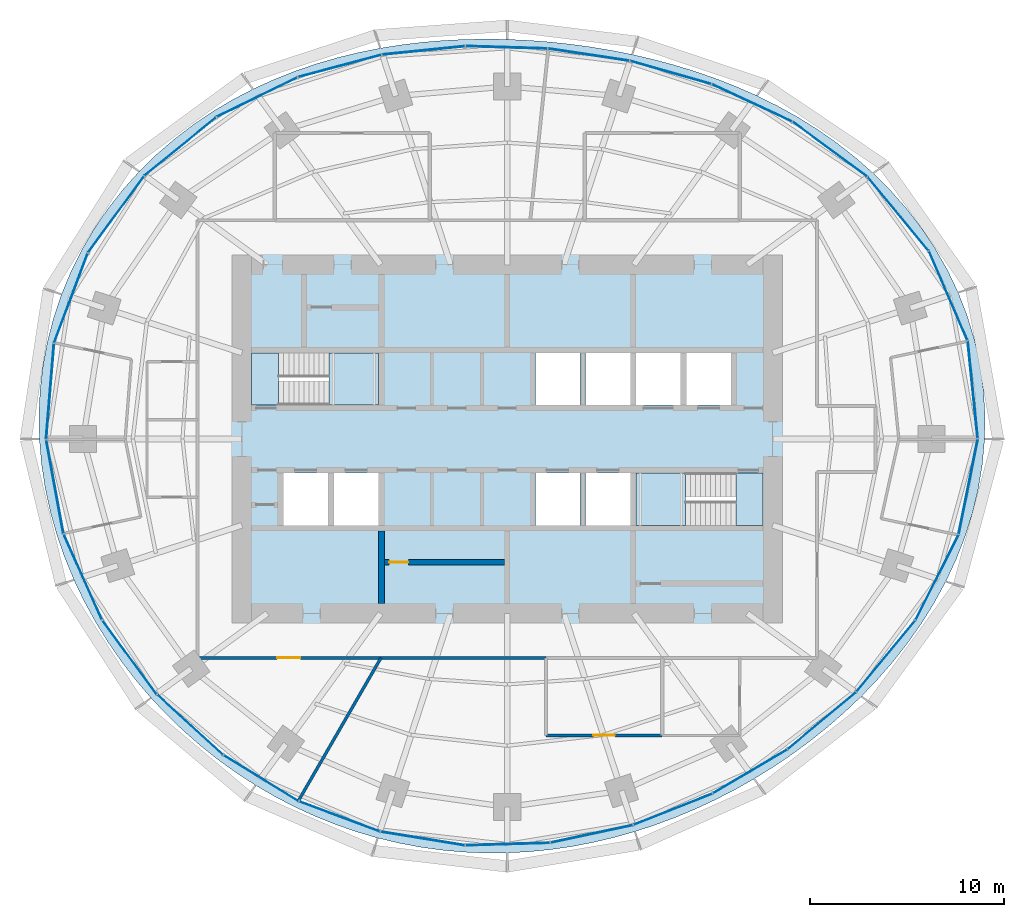
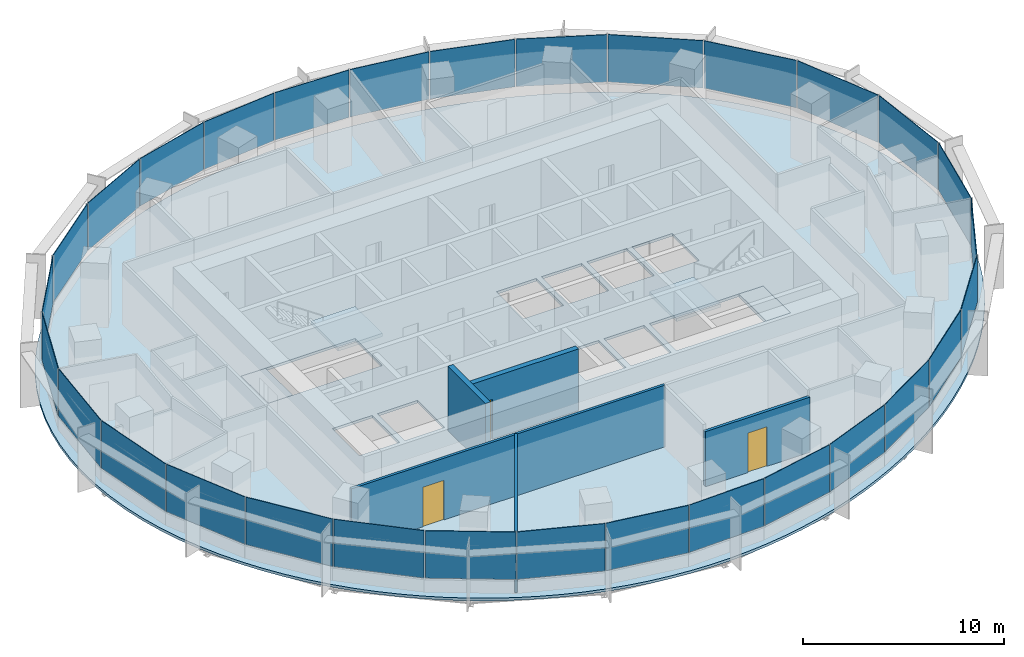
# One storey, part 9 of 14: 30 plates, 5 slabs, 5 walls, 3 doors, 3 openings, 8 elements without a shape of their own.
"""IFC4 building model written with IfcOpenShell, lengths in metres."""

from ifc_helpers import new_model, si_unit, direction, frame, frame_2d, origin, origin_2d, place, context, subcontext, project, spatial, polyline, rectangle, outline, extrude, material, layer, layer_set, type_object, element, fill, aggregate, save


model = new_model("IFC4")

# Units and contexts
model_context = context("Model", 3, precision=1e-05, world=origin(), true_north=direction((0.0, 1.0)))
body_context = subcontext(model_context, "Body", "Model", "MODEL_VIEW")
ifc_project = project(units=[si_unit("LENGTHUNIT", "METRE"), si_unit("AREAUNIT", "SQUARE_METRE"), si_unit("VOLUMEUNIT", "CUBIC_METRE"), si_unit("PLANEANGLEUNIT", "RADIAN"), si_unit("MASSUNIT", "GRAM", prefix="KILO")], contexts=[model_context])

# Site, building, storey
site_placement = place(None, origin())
site = spatial("IfcSite", under=ifc_project, at=site_placement, CompositionType="ELEMENT")
building_placement = place(site_placement, origin())
building = spatial("IfcBuilding", under=site, at=building_placement, Name="Marramba Exchange Tower", CompositionType="ELEMENT")
storey_placement = place(building_placement, frame((0.0, 0.0, 179.89990234375)))
storey = spatial("IfcBuildingStorey", under=building, at=storey_placement, Name="L43", CompositionType="ELEMENT", Elevation=179.89990234375)

# Slab
ifc_material_1 = material(Name="Concrete N40", Category="concrete")
ifc_layer_1 = layer(ifc_material_1, 0.159912109375)
ifc_layer_set_1 = layer_set([ifc_layer_1], Name="Composite floor slab 160")
slab_type_1 = type_object("IfcSlabType", Name="Composite floor slab 160", PredefinedType="FLOOR", material=ifc_layer_set_1)
slab_1_placement = place(storey_placement, frame((0.0, 0.0, -0.159912109375)))
element("IfcSlab", 1, at=slab_1_placement, inside=storey, type_object=slab_type_1, Name="Floor slab L43", PredefinedType="FLOOR", context=body_context, shape_type="SweptSolid", body=[
    extrude(outline(polyline([(24.64404296875, 0.0), (24.661376953125, 1.29248046875), (24.580078125, 2.58349609375), (24.399658203125, 3.864501953125), (24.12109375, 5.127197265625), (23.7470703125, 6.363037109375), (23.281494140625, 7.564697265625), (22.72900390625, 8.724853515625), (22.095947265625, 9.837646484375), (21.388427734375, 10.89794921875), (20.614013671875, 11.901611328125), (19.780029296875, 12.845458984375), (18.894287109375, 13.7275390625), (17.964111328125, 14.547119140625), (16.996826171875, 15.303955078125), (15.9990234375, 15.9990234375), (14.977294921875, 16.634033203125), (13.936767578125, 17.21044921875), (12.882568359375, 17.7314453125), (11.819091796875, 18.19970703125), (10.749267578125, 18.6181640625), (9.67578125, 18.989990234375), (8.60107421875, 19.318115234375), (7.52587890625, 19.60546875), (6.451171875, 19.8544921875), (5.377197265625, 20.067626953125), (4.303466796875, 20.246337890625), (3.229736328125, 20.39208984375), (2.1552734375, 20.50537109375), (1.078857421875, 20.5869140625), (0.0, 20.63623046875), (-1.082275390625, 20.652587890625), (-2.168701171875, 20.634765625), (-3.259765625, 20.580810546875), (-4.35498046875, 20.4892578125), (-5.45458984375, 20.35693359375), (-6.557373046875, 20.181884765625), (-7.662353515625, 19.9609375), (-8.76708984375, 19.691162109375), (-9.869384765625, 19.369873046875), (-10.96630859375, 18.994384765625), (-12.05419921875, 18.561767578125), (-13.128662109375, 18.070068359375), (-14.185546875, 17.517578125), (-15.218994140625, 16.902587890625), (-16.22412109375, 16.22412109375), (-17.195068359375, 15.482421875), (-18.12548828125, 14.677734375), (-19.009521484375, 13.811279296875), (-19.841064453125, 12.885009765625), (-20.614013671875, 11.901611328125), (-21.32275390625, 10.864501953125), (-21.9619140625, 9.778076171875), (-22.52685546875, 8.647216796875), (-23.01318359375, 7.477294921875), (-23.417724609375, 6.274658203125), (-23.73779296875, 5.045654296875), (-23.971923828125, 3.796875), (-24.119384765625, 2.53515625), (-24.180419921875, 1.267333984375), (-24.156005859375, 0.0), (-24.04833984375, -1.26025390625), (-23.860107421875, -2.5078125), (-23.594482421875, -3.737060546875), (-23.25537109375, -4.943115234375), (-22.846923828125, -6.121826171875), (-22.373291015625, -7.26953125), (-21.8388671875, -8.38330078125), (-21.247802734375, -9.460205078125), (-20.604248046875, -10.49853515625), (-19.912109375, -11.496337890625), (-19.174560546875, -12.4521484375), (-18.395263671875, -13.364990234375), (-17.5771484375, -14.233642578125), (-16.72265625, -15.05712890625), (-15.834228515625, -15.834228515625), (-14.914794921875, -16.564453125), (-13.966064453125, -17.24658203125), (-12.990234375, -17.879638671875), (-11.98974609375, -18.46240234375), (-10.96630859375, -18.994384765625), (-9.922607421875, -19.47412109375), (-8.860595703125, -19.901123046875), (-7.78271484375, -20.2744140625), (-6.691162109375, -20.593505859375), (-5.5888671875, -20.858154296875), (-4.478271484375, -21.068115234375), (-3.361328125, -21.22314453125), (-2.2412109375, -21.32373046875), (-1.119873046875, -21.370361328125), (0.0, -21.36376953125), (1.116455078125, -21.3046875), (2.2275390625, -21.194580078125), (3.33154296875, -21.0341796875), (4.426513671875, -20.8251953125), (5.511474609375, -20.56884765625), (6.5849609375, -20.266357421875), (7.646240234375, -19.919189453125), (8.694580078125, -19.528076171875), (9.72900390625, -19.09423828125), (10.749267578125, -18.6181640625), (11.75439453125, -18.100341796875), (12.744140625, -17.541015625), (13.71728515625, -16.939697265625), (14.6728515625, -16.2958984375), (15.609130859375, -15.609130859375), (16.5244140625, -14.878662109375), (17.415771484375, -14.10302734375), (18.280029296875, -13.28125), (19.11376953125, -12.41259765625), (19.912109375, -11.496337890625), (20.669921875, -10.531982421875), (21.3818359375, -9.519775390625), (22.041259765625, -8.4609375), (22.641845703125, -7.356689453125), (23.176513671875, -6.210205078125), (23.638671875, -5.024658203125), (24.022216796875, -3.8046875), (24.32080078125, -2.55615234375), (24.529541015625, -1.28564453125), (24.64404296875, 0.0)]), holes=[polyline([(1.449951171875, 1.75), (3.75, 1.75), (3.75, 4.449951171875), (1.449951171875, 4.449951171875), (1.449951171875, 1.75)]), polyline([(4.050048828125, 1.75), (6.35009765625, 1.75), (6.35009765625, 4.449951171875), (4.050048828125, 4.449951171875), (4.050048828125, 1.75)]), polyline([(1.449951171875, -4.449951171875), (3.75, -4.449951171875), (3.75, -1.75), (1.449951171875, -1.75), (1.449951171875, -4.449951171875)]), polyline([(4.050048828125, -4.449951171875), (6.35009765625, -4.449951171875), (6.35009765625, -1.75), (4.050048828125, -1.75), (4.050048828125, -4.449951171875)]), polyline([(6.64990234375, 1.75), (8.949951171875, 1.75), (8.949951171875, 4.449951171875), (6.64990234375, 4.449951171875), (6.64990234375, 1.75)]), polyline([(-8.949951171875, -4.449951171875), (-6.64990234375, -4.449951171875), (-6.64990234375, -1.75), (-8.949951171875, -1.75), (-8.949951171875, -4.449951171875)]), polyline([(-11.550048828125, -4.449951171875), (-9.25, -4.449951171875), (-9.25, -1.75), (-11.550048828125, -1.75), (-11.550048828125, -4.449951171875)]), polyline([(9.25, 1.75), (11.550048828125, 1.75), (11.550048828125, 4.449951171875), (9.25, 4.449951171875), (9.25, 1.75)]), polyline([(-13.199951171875, 1.75), (-6.64990234375, 1.75), (-6.64990234375, 4.449951171875), (-13.199951171875, 4.449951171875), (-13.199951171875, 1.75)]), polyline([(6.64990234375, -4.449951171875), (13.199951171875, -4.449951171875), (13.199951171875, -1.75), (6.64990234375, -1.75), (6.64990234375, -4.449951171875)])]), origin(), (0.0, 0.0, 1.0), 0.159912109375),
])

# Curtain wall, plates
ifc_material_2 = material(Name="Aluminium framing, bronze anodised", Category="aluminium")
curtain_wall_type = type_object("IfcCurtainWallType", Name="Office ribbon curtain wall", PredefinedType="USERDEFINED", material=ifc_material_2)
curtain_wall_1_placement = place(storey_placement, origin())
curtain_wall_1 = element("IfcCurtainWall", 2, at=curtain_wall_1_placement, inside=storey, type_object=curtain_wall_type, Name="Curtain wall CW4 L43 F01-F05", ObjectType="RIBBON CURTAIN WALL", PredefinedType="USERDEFINED")
ifc_material_3 = material(Name="Laminated double glazed unit 10.76 + 16 + 10.76, bronze tinted", Category="glass")
ifc_layer_2 = layer(ifc_material_3, 0.03759765625)
ifc_layer_set_2 = layer_set([ifc_layer_2], Name="Office ribbon curtain wall panel")
plate_type = type_object("IfcPlateType", Name="Office ribbon curtain wall panel", PredefinedType="CURTAIN_PANEL", material=ifc_layer_set_2)
plate_1_placement = place(storey_placement, frame((24.033203125, 2.556884765625, 0.860107421875), z_axis=(0.0, 0.0, 1.0), x_axis=(-0.101422472607, 0.994843446001, 0.0)))
plate_1 = element("IfcPlate", 3, at=plate_1_placement, type_object=plate_type, Name="CW4 vision panel", PredefinedType="CURTAIN_PANEL", context=body_context, shape_type="SweptSolid", body=[
    extrude(rectangle(XDim=5.0205078125, YDim=0.03759765625, at=origin_2d()), origin(), (0.0, 0.0, 1.0), 2.8798828125),
])
plate_2_placement = place(storey_placement, frame((22.765625, 7.40234375, 0.860107421875), z_axis=(0.0, 0.0, 1.0), x_axis=(-0.396193346946, 0.918167104527, 0.0)))
plate_2 = element("IfcPlate", 4, at=plate_2_placement, type_object=plate_type, Name="CW4 vision panel", PredefinedType="CURTAIN_PANEL", context=body_context, shape_type="SweptSolid", body=[
    extrude(rectangle(XDim=4.99462890625, YDim=0.03759765625, at=origin_2d()), origin(), (0.0, 0.0, 1.0), 2.8798828125),
])
plate_3_placement = place(storey_placement, frame((20.174560546875, 11.631591796875, 0.860107421875), z_axis=(0.0, 0.0, 1.0), x_axis=(-0.637350227411, 0.770574258342, 0.0)))
plate_3 = element("IfcPlate", 5, at=plate_3_placement, type_object=plate_type, Name="CW4 vision panel", PredefinedType="CURTAIN_PANEL", context=body_context, shape_type="SweptSolid", body=[
    extrude(rectangle(XDim=4.90576171875, YDim=0.03759765625, at=origin_2d()), origin(), (0.0, 0.0, 1.0), 2.8798828125),
])
plate_4_placement = place(storey_placement, frame((16.653076171875, 14.965576171875, 0.860107421875), z_axis=(0.0, 0.0, 1.0), x_axis=(-0.804877259395, 0.593441317494, 0.0)))
plate_4 = element("IfcPlate", 6, at=plate_4_placement, type_object=plate_type, Name="CW4 vision panel", PredefinedType="CURTAIN_PANEL", context=body_context, shape_type="SweptSolid", body=[
    extrude(rectangle(XDim=4.745849609375, YDim=0.03759765625, at=origin_2d()), origin(), (0.0, 0.0, 1.0), 2.8798828125),
])
plate_5_placement = place(storey_placement, frame((12.63134765625, 17.357177734375, 0.860107421875), z_axis=(0.0, 0.0, 1.0), x_axis=(-0.906533907301, 0.422133006189, 0.0)))
plate_5 = element("IfcPlate", 7, at=plate_5_placement, type_object=plate_type, Name="CW4 vision panel", PredefinedType="CURTAIN_PANEL", context=body_context, shape_type="SweptSolid", body=[
    extrude(rectangle(XDim=4.53857421875, YDim=0.03759765625, at=origin_2d()), origin(), (0.0, 0.0, 1.0), 2.8798828125),
])
aggregate(curtain_wall_1, [plate_1, plate_2, plate_3, plate_4, plate_5])

curtain_wall_2_placement = place(storey_placement, origin())
curtain_wall_2 = element("IfcCurtainWall", 8, at=curtain_wall_2_placement, inside=storey, type_object=curtain_wall_type, Name="Curtain wall CW4 L43 F06-F10", ObjectType="RIBBON CURTAIN WALL", PredefinedType="USERDEFINED")
plate_6_placement = place(storey_placement, frame((8.4296875, 18.926513671875, 0.860107421875), z_axis=(0.0, 0.0, 1.0), x_axis=(-0.961658954195, 0.274248164656, 0.0)))
plate_6 = element("IfcPlate", 9, at=plate_6_placement, type_object=plate_type, Name="CW4 vision panel", PredefinedType="CURTAIN_PANEL", context=body_context, shape_type="SweptSolid", body=[
    extrude(rectangle(XDim=4.33984375, YDim=0.03759765625, at=origin_2d()), origin(), (0.0, 0.0, 1.0), 2.8798828125),
])
plate_7_placement = place(storey_placement, frame((4.201171875, 19.843994140625, 0.860107421875), z_axis=(0.0, 0.0, 1.0), x_axis=(-0.988868065698, 0.148794988635, 0.0)))
plate_7 = element("IfcPlate", 10, at=plate_7_placement, type_object=plate_type, Name="CW4 vision panel", PredefinedType="CURTAIN_PANEL", context=body_context, shape_type="SweptSolid", body=[
    extrude(rectangle(XDim=4.2119140625, YDim=0.03759765625, at=origin_2d()), origin(), (0.0, 0.0, 1.0), 2.8798828125),
])
plate_8_placement = place(storey_placement, frame((-0.036865234375, 20.222900390625, 0.860107421875), z_axis=(0.0, 0.0, 1.0), x_axis=(-0.999538000143, 0.03039385249, 0.0)))
plate_8 = element("IfcPlate", 11, at=plate_8_placement, type_object=plate_type, Name="CW4 vision panel", PredefinedType="CURTAIN_PANEL", context=body_context, shape_type="SweptSolid", body=[
    extrude(rectangle(XDim=4.19287109375, YDim=0.03759765625, at=origin_2d()), origin(), (0.0, 0.0, 1.0), 2.8798828125),
])
plate_9_placement = place(storey_placement, frame((-4.320556640625, 20.064697265625, 0.860107421875), z_axis=(0.0, 0.0, 1.0), x_axis=(-0.994900357369, -0.100862673507, 0.0)))
plate_9 = element("IfcPlate", 12, at=plate_9_placement, type_object=plate_type, Name="CW4 vision panel", PredefinedType="CURTAIN_PANEL", context=body_context, shape_type="SweptSolid", body=[
    extrude(rectangle(XDim=4.279296875, YDim=0.03759765625, at=origin_2d()), origin(), (0.0, 0.0, 1.0), 2.8798828125),
])
plate_10_placement = place(storey_placement, frame((-8.6494140625, 19.262451171875, 0.860107421875), z_axis=(0.0, 0.0, 1.0), x_axis=(-0.966240653155, -0.257641223778, 0.0)))
plate_10 = element("IfcPlate", 13, at=plate_10_placement, type_object=plate_type, Name="CW4 vision panel", PredefinedType="CURTAIN_PANEL", context=body_context, shape_type="SweptSolid", body=[
    extrude(rectangle(XDim=4.433837890625, YDim=0.03759765625, at=origin_2d()), origin(), (0.0, 0.0, 1.0), 2.8798828125),
])
aggregate(curtain_wall_2, [plate_6, plate_7, plate_8, plate_9, plate_10])

curtain_wall_3_placement = place(storey_placement, origin())
curtain_wall_3 = element("IfcCurtainWall", 14, at=curtain_wall_3_placement, inside=storey, type_object=curtain_wall_type, Name="Curtain wall CW4 L43 F11-F15", ObjectType="RIBBON CURTAIN WALL", PredefinedType="USERDEFINED")
plate_11_placement = place(storey_placement, frame((-12.9150390625, 17.653564453125, 0.860107421875), z_axis=(0.0, 0.0, 1.0), x_axis=(-0.898500518805, -0.438972456661, 0.0)))
plate_11 = element("IfcPlate", 15, at=plate_11_placement, type_object=plate_type, Name="CW4 vision panel", PredefinedType="CURTAIN_PANEL", context=body_context, shape_type="SweptSolid", body=[
    extrude(rectangle(XDim=4.607177734375, YDim=0.03759765625, at=origin_2d()), origin(), (0.0, 0.0, 1.0), 2.8798828125),
])
plate_12_placement = place(storey_placement, frame((-16.87890625, 15.10498046875, 0.860107421875), z_axis=(0.0, 0.0, 1.0), x_axis=(-0.776432169145, -0.630200830464, 0.0)))
plate_12 = element("IfcPlate", 16, at=plate_12_placement, type_object=plate_type, Name="CW4 vision panel", PredefinedType="CURTAIN_PANEL", context=body_context, shape_type="SweptSolid", body=[
    extrude(rectangle(XDim=4.7587890625, YDim=0.03759765625, at=origin_2d()), origin(), (0.0, 0.0, 1.0), 2.8798828125),
])
plate_13_placement = place(storey_placement, frame((-20.2021484375, 11.596435546875, 0.860107421875), z_axis=(0.0, 0.0, 1.0), x_axis=(-0.591962922138, -0.805965197024, 0.0)))
plate_13 = element("IfcPlate", 17, at=plate_13_placement, type_object=plate_type, Name="CW4 vision panel", PredefinedType="CURTAIN_PANEL", context=body_context, shape_type="SweptSolid", body=[
    extrude(rectangle(XDim=4.865478515625, YDim=0.03759765625, at=origin_2d()), origin(), (0.0, 0.0, 1.0), 2.8798828125),
])
plate_14_placement = place(storey_placement, frame((-22.529296875, 7.276123046875, 0.860107421875), z_axis=(0.0, 0.0, 1.0), x_axis=(-0.351951515885, -0.936018231909, 0.0)))
plate_14 = element("IfcPlate", 18, at=plate_14_placement, type_object=plate_type, Name="CW4 vision panel", PredefinedType="CURTAIN_PANEL", context=body_context, shape_type="SweptSolid", body=[
    extrude(rectangle(XDim=4.921630859375, YDim=0.03759765625, at=origin_2d()), origin(), (0.0, 0.0, 1.0), 2.8798828125),
])
plate_15_placement = place(storey_placement, frame((-23.603271484375, 2.45654296875, 0.860107421875), z_axis=(0.0, 0.0, 1.0), x_axis=(-0.082280890264, -0.996609178714, 0.0)))
plate_15 = element("IfcPlate", 19, at=plate_15_placement, type_object=plate_type, Name="CW4 vision panel", PredefinedType="CURTAIN_PANEL", context=body_context, shape_type="SweptSolid", body=[
    extrude(rectangle(XDim=4.9296875, YDim=0.03759765625, at=origin_2d()), origin(), (0.0, 0.0, 1.0), 2.8798828125),
])
aggregate(curtain_wall_3, [plate_11, plate_12, plate_13, plate_14, plate_15])

curtain_wall_4_placement = place(storey_placement, origin())
curtain_wall_4 = element("IfcCurtainWall", 20, at=curtain_wall_4_placement, inside=storey, type_object=curtain_wall_type, Name="Curtain wall CW4 L43 F16-F20", ObjectType="RIBBON CURTAIN WALL", PredefinedType="USERDEFINED")
plate_16_placement = place(storey_placement, frame((-23.354248046875, -2.464599609375, 0.860107421875), z_axis=(0.0, 0.0, 1.0), x_axis=(0.180327438996, -0.983606636184, 0.0)))
plate_16 = element("IfcPlate", 21, at=plate_16_placement, type_object=plate_type, Name="CW4 vision panel", PredefinedType="CURTAIN_PANEL", context=body_context, shape_type="SweptSolid", body=[
    extrude(rectangle(XDim=4.8916015625, YDim=0.03759765625, at=origin_2d()), origin(), (0.0, 0.0, 1.0), 2.8798828125),
])
plate_17_placement = place(storey_placement, frame((-21.908447265625, -7.12158203125, 0.860107421875), z_axis=(0.0, 0.0, 1.0), x_axis=(0.407557580942, -0.913179510401, 0.0)))
plate_17 = element("IfcPlate", 22, at=plate_17_placement, type_object=plate_type, Name="CW4 vision panel", PredefinedType="CURTAIN_PANEL", context=body_context, shape_type="SweptSolid", body=[
    extrude(rectangle(XDim=4.810302734375, YDim=0.03759765625, at=origin_2d()), origin(), (0.0, 0.0, 1.0), 2.8798828125),
])
plate_18_placement = place(storey_placement, frame((-19.50244140625, -11.2626953125, 0.860107421875), z_axis=(0.0, 0.0, 1.0), x_axis=(0.591223103363, -0.806508054547, 0.0)))
plate_18 = element("IfcPlate", 23, at=plate_18_placement, type_object=plate_type, Name="CW4 vision panel", PredefinedType="CURTAIN_PANEL", context=body_context, shape_type="SweptSolid", body=[
    extrude(rectangle(XDim=4.703125, YDim=0.03759765625, at=origin_2d()), origin(), (0.0, 0.0, 1.0), 2.8798828125),
])
plate_19_placement = place(storey_placement, frame((-16.374267578125, -14.752197265625, 0.860107421875), z_axis=(0.0, 0.0, 1.0), x_axis=(0.737203264245, -0.67567103474, 0.0)))
plate_19 = element("IfcPlate", 24, at=plate_19_placement, type_object=plate_type, Name="CW4 vision panel", PredefinedType="CURTAIN_PANEL", context=body_context, shape_type="SweptSolid", body=[
    extrude(rectangle(XDim=4.594970703125, YDim=0.03759765625, at=origin_2d()), origin(), (0.0, 0.0, 1.0), 2.8798828125),
])
plate_20_placement = place(storey_placement, frame((-12.71044921875, -17.513427734375, 0.860107421875), z_axis=(0.0, 0.0, 1.0), x_axis=(0.85230101176, -0.52305160869, 0.0)))
plate_20 = element("IfcPlate", 25, at=plate_20_placement, type_object=plate_type, Name="CW4 vision panel", PredefinedType="CURTAIN_PANEL", context=body_context, shape_type="SweptSolid", body=[
    extrude(rectangle(XDim=4.503173828125, YDim=0.03759765625, at=origin_2d()), origin(), (0.0, 0.0, 1.0), 2.8798828125),
])
aggregate(curtain_wall_4, [plate_16, plate_17, plate_18, plate_19, plate_20])

curtain_wall_5_placement = place(storey_placement, origin())
curtain_wall_5 = element("IfcCurtainWall", 26, at=curtain_wall_5_placement, inside=storey, type_object=curtain_wall_type, Name="Curtain wall CW4 L43 F21-F25", ObjectType="RIBBON CURTAIN WALL", PredefinedType="USERDEFINED")
plate_21_placement = place(storey_placement, frame((-8.6591796875, -19.486572265625, 0.860107421875), z_axis=(0.0, 0.0, 1.0), x_axis=(0.936951583142, -0.349459197687, 0.0)))
plate_21 = element("IfcPlate", 27, at=plate_21_placement, type_object=plate_type, Name="CW4 vision panel", PredefinedType="CURTAIN_PANEL", context=body_context, shape_type="SweptSolid", body=[
    extrude(rectangle(XDim=4.431396484375, YDim=0.03759765625, at=origin_2d()), origin(), (0.0, 0.0, 1.0), 2.8798828125),
])
plate_22_placement = place(storey_placement, frame((-4.3642578125, -20.623046875, 0.860107421875), z_axis=(0.0, 0.0, 1.0), x_axis=(0.986930623159, -0.161145726194, 0.0)))
plate_22 = element("IfcPlate", 28, at=plate_22_placement, type_object=plate_type, Name="CW4 vision panel", PredefinedType="CURTAIN_PANEL", context=body_context, shape_type="SweptSolid", body=[
    extrude(rectangle(XDim=4.37646484375, YDim=0.03759765625, at=origin_2d()), origin(), (0.0, 0.0, 1.0), 2.8798828125),
])
plate_23_placement = place(storey_placement, frame((0.023193359375, -20.91015625, 0.860107421875), z_axis=(0.0, 0.0, 1.0), x_axis=(0.99956791915, 0.029393451762, 0.0)))
plate_23 = element("IfcPlate", 29, at=plate_23_placement, type_object=plate_type, Name="CW4 vision panel", PredefinedType="CURTAIN_PANEL", context=body_context, shape_type="SweptSolid", body=[
    extrude(rectangle(XDim=4.337646484375, YDim=0.03759765625, at=origin_2d()), origin(), (0.0, 0.0, 1.0), 2.8798828125),
])
plate_24_placement = place(storey_placement, frame((4.36328125, -20.3837890625, 0.860107421875), z_axis=(0.0, 0.0, 1.0), x_axis=(0.978058069607, 0.208332456608, 0.0)))
plate_24 = element("IfcPlate", 30, at=plate_24_placement, type_object=plate_type, Name="CW4 vision panel", PredefinedType="CURTAIN_PANEL", context=body_context, shape_type="SweptSolid", body=[
    extrude(rectangle(XDim=4.32177734375, YDim=0.03759765625, at=origin_2d()), origin(), (0.0, 0.0, 1.0), 2.8798828125),
])
plate_25_placement = place(storey_placement, frame((8.553466796875, -19.11328125, 0.860107421875), z_axis=(0.0, 0.0, 1.0), x_axis=(0.93007301435, 0.367374724195, 0.0)))
plate_25 = element("IfcPlate", 31, at=plate_25_placement, type_object=plate_type, Name="CW4 vision panel", PredefinedType="CURTAIN_PANEL", context=body_context, shape_type="SweptSolid", body=[
    extrude(rectangle(XDim=4.345458984375, YDim=0.03759765625, at=origin_2d()), origin(), (0.0, 0.0, 1.0), 2.8798828125),
])
aggregate(curtain_wall_5, [plate_21, plate_22, plate_23, plate_24, plate_25])

curtain_wall_6_placement = place(storey_placement, origin())
curtain_wall_6 = element("IfcCurtainWall", 32, at=curtain_wall_6_placement, inside=storey, type_object=curtain_wall_type, Name="Curtain wall CW4 L43 F26-F30", ObjectType="RIBBON CURTAIN WALL", PredefinedType="USERDEFINED")
plate_26_placement = place(storey_placement, frame((12.5322265625, -17.16015625, 0.860107421875), z_axis=(0.0, 0.0, 1.0), x_axis=(0.861350833897, 0.508010571686, 0.0)))
plate_26 = element("IfcPlate", 33, at=plate_26_placement, type_object=plate_type, Name="CW4 vision panel", PredefinedType="CURTAIN_PANEL", context=body_context, shape_type="SweptSolid", body=[
    extrude(rectangle(XDim=4.426513671875, YDim=0.03759765625, at=origin_2d()), origin(), (0.0, 0.0, 1.0), 2.8798828125),
])
plate_27_placement = place(storey_placement, frame((16.240966796875, -14.536376953125, 0.860107421875), z_axis=(0.0, 0.0, 1.0), x_axis=(0.768736798421, 0.639565270127, 0.0)))
plate_27 = element("IfcPlate", 34, at=plate_27_placement, type_object=plate_type, Name="CW4 vision panel", PredefinedType="CURTAIN_PANEL", context=body_context, shape_type="SweptSolid", body=[
    extrude(rectangle(XDim=4.568603515625, YDim=0.03759765625, at=origin_2d()), origin(), (0.0, 0.0, 1.0), 2.8798828125),
])
plate_28_placement = place(storey_placement, frame((19.548583984375, -11.203369140625, 0.860107421875), z_axis=(0.0, 0.0, 1.0), x_axis=(0.63814998673, 0.769912069289, 0.0)))
plate_28 = element("IfcPlate", 35, at=plate_28_placement, type_object=plate_type, Name="CW4 vision panel", PredefinedType="CURTAIN_PANEL", context=body_context, shape_type="SweptSolid", body=[
    extrude(rectangle(XDim=4.7431640625, YDim=0.03759765625, at=origin_2d()), origin(), (0.0, 0.0, 1.0), 2.8798828125),
])
plate_29_placement = place(storey_placement, frame((22.19287109375, -7.137939453125, 0.860107421875), z_axis=(0.0, 0.0, 1.0), x_axis=(0.450673083956, 0.892689067591, 0.0)))
plate_29 = element("IfcPlate", 36, at=plate_29_placement, type_object=plate_type, Name="CW4 vision panel", PredefinedType="CURTAIN_PANEL", context=body_context, shape_type="SweptSolid", body=[
    extrude(rectangle(XDim=4.897705078125, YDim=0.03759765625, at=origin_2d()), origin(), (0.0, 0.0, 1.0), 2.8798828125),
])
plate_30_placement = place(storey_placement, frame((23.801025390625, -2.446533203125, 0.860107421875), z_axis=(0.0, 0.0, 1.0), x_axis=(0.197495405316, 0.980303812539, 0.0)))
plate_30 = element("IfcPlate", 37, at=plate_30_placement, type_object=plate_type, Name="CW4 vision panel", PredefinedType="CURTAIN_PANEL", context=body_context, shape_type="SweptSolid", body=[
    extrude(rectangle(XDim=4.9912109375, YDim=0.03759765625, at=origin_2d()), origin(), (0.0, 0.0, 1.0), 2.8798828125),
])
aggregate(curtain_wall_6, [plate_26, plate_27, plate_28, plate_29, plate_30])

# Stair, slabs
ifc_material_4 = material(Name="Concrete N40 (40 MPa)", Category="concrete")
stair_type_1 = type_object("IfcStairType", Name="Exit stair ST1 3900 x 1250", PredefinedType="HALF_TURN_STAIR", material=ifc_material_4)
stair_1_placement = place(storey_placement, origin())
stair_1 = element("IfcStair", 38, at=stair_1_placement, inside=storey, type_object=stair_type_1, Name="Exit stair ST1 L43", PredefinedType="HALF_TURN_STAIR")
ifc_layer_3 = layer(ifc_material_4, 0.199951171875)
ifc_layer_set_3 = layer_set([ifc_layer_3], Name="Stair landing 200")
slab_type_2 = type_object("IfcSlabType", Name="Stair landing 200", PredefinedType="LANDING", material=ifc_layer_set_3)
slab_2_placement = place(storey_placement, frame((0.0, 0.0, -0.199951171875)))
slab_2 = element("IfcSlab", 39, at=slab_2_placement, type_object=slab_type_2, Name="ST1 landing 1", PredefinedType="LANDING", context=body_context, shape_type="SweptSolid", body=[
    extrude(outline(polyline([(-13.199951171875, 1.75), (-11.800048828125, 1.75), (-11.800048828125, 4.449951171875), (-13.199951171875, 4.449951171875), (-13.199951171875, 1.75)])), origin(), (0.0, 0.0, 1.0), 0.199951171875),
])
slab_3_placement = place(storey_placement, frame((0.0, 0.0, 1.75)))
slab_3 = element("IfcSlab", 40, at=slab_3_placement, type_object=slab_type_2, Name="ST1 landing 2", PredefinedType="LANDING", context=body_context, shape_type="SweptSolid", body=[
    extrude(outline(polyline([(-9.199951171875, 1.75), (-6.64990234375, 1.75), (-6.64990234375, 4.449951171875), (-9.199951171875, 4.449951171875), (-9.199951171875, 1.75)])), origin(), (0.0, 0.0, 1.0), 0.2001953125),
])
aggregate(stair_1, [slab_2, slab_3])

stair_type_2 = type_object("IfcStairType", Name="Exit stair ST2 3900 x 1250", PredefinedType="HALF_TURN_STAIR", material=ifc_material_4)
stair_2_placement = place(storey_placement, origin())
stair_2 = element("IfcStair", 41, at=stair_2_placement, inside=storey, type_object=stair_type_2, Name="Exit stair ST2 L43", PredefinedType="HALF_TURN_STAIR")
slab_4_placement = place(storey_placement, frame((0.0, 0.0, -0.199951171875)))
slab_4 = element("IfcSlab", 42, at=slab_4_placement, type_object=slab_type_2, Name="ST2 landing 1", PredefinedType="LANDING", context=body_context, shape_type="SweptSolid", body=[
    extrude(outline(polyline([(11.800048828125, -4.449951171875), (13.199951171875, -4.449951171875), (13.199951171875, -1.75), (11.800048828125, -1.75), (11.800048828125, -4.449951171875)])), origin(), (0.0, 0.0, 1.0), 0.199951171875),
])
slab_5_placement = place(storey_placement, frame((0.0, 0.0, 1.75)))
slab_5 = element("IfcSlab", 43, at=slab_5_placement, type_object=slab_type_2, Name="ST2 landing 2", PredefinedType="LANDING", context=body_context, shape_type="SweptSolid", body=[
    extrude(outline(polyline([(6.64990234375, -4.449951171875), (9.199951171875, -4.449951171875), (9.199951171875, -1.75), (6.64990234375, -1.75), (6.64990234375, -4.449951171875)])), origin(), (0.0, 0.0, 1.0), 0.2001953125),
])
aggregate(stair_2, [slab_4, slab_5])

# Wall, opening, door
ifc_material_5 = material(Name="Plasterboard on staggered double steel studs, acoustic insulation", Category="steel")
ifc_layer_4 = layer(ifc_material_5, 0.169921875)
ifc_layer_set_4 = layer_set([ifc_layer_4], Name="Acoustic partition 170")
wall_type_1 = type_object("IfcWallType", Name="Acoustic partition 170", PredefinedType="PARTITIONING", material=ifc_layer_set_4)
wall_1_placement = place(storey_placement, frame((2.0, -15.300048828125, 0.0), z_axis=(0.0, 0.0, 1.0), x_axis=(1.0, 0.0, 0.0)))
wall_1 = element("IfcWall", 44, at=wall_1_placement, inside=storey, type_object=wall_type_1, Name="Acoustic partition L43 07", PredefinedType="PARTITIONING", context=body_context, shape_type="SweptSolid", body=[
    extrude(rectangle(XDim=6.0, YDim=0.169921875, at=frame_2d((3.0, 0.0))), origin(), (0.0, 0.0, 1.0), 3.333984375),
])
opening_1_placement = place(wall_1_placement, frame((2.449951171875, 0.0, 0.0)))
opening_1 = element("IfcOpeningElement", 45, at=opening_1_placement, cuts=wall_1, Name="Opening D15", PredefinedType="OPENING", context=body_context, shape_type="SweptSolid", body=[
    extrude(rectangle(XDim=1.10009765625, YDim=2.39990234375, at=frame_2d((0.550048828125, 1.199951171875))), frame((0.0, 0.094970703125, 0.0), z_axis=(0.0, -1.0, 0.0), x_axis=(1.0, 0.0, 0.0)), (0.0, 0.0, 1.0), 0.18994140625),
])
ifc_material_6 = material(Name="Timber door", Category="wood")
door_type_1 = type_object("IfcDoorType", Name="Glazed meeting room door 1100x2400", OperationType="SINGLE_SWING_LEFT", PredefinedType="DOOR", material=ifc_material_6)
door_1_placement = place(opening_1_placement, origin())
door_1 = element("IfcDoor", 46, at=door_1_placement, inside=storey, type_object=door_type_1, Name="D15 Meeting Room 2 L43", OperationType="SINGLE_SWING_RIGHT", OverallHeight=2.39990234375, OverallWidth=1.10009765625, PredefinedType="DOOR", context=body_context, shape_type="SweptSolid", body=[
    extrude(rectangle(XDim=1.10009765625, YDim=2.39990234375, at=frame_2d((0.550048828125, 1.199951171875))), frame((0.0, 0.02490234375, 0.0), z_axis=(0.0, -1.0, 0.0), x_axis=(1.0, 0.0, 0.0)), (0.0, 0.0, 1.0), 0.050048828125),
])
fill(opening_1, door_1)

# Wall
ifc_material_7 = material(Name="Concrete N50", Category="concrete")
ifc_layer_5 = layer(ifc_material_7, 0.300048828125)
ifc_layer_set_5 = layer_set([ifc_layer_5], Name="Core wall 300")
wall_type_2 = type_object("IfcWallType", Name="Core wall 300", PredefinedType="SHEAR", material=ifc_layer_set_5)
wall_2_placement = place(storey_placement, frame((-6.5, -4.75, 0.0), z_axis=(0.0, 0.0, 1.0), x_axis=(0.0, -1.0, 0.0)))
element("IfcWall", 47, at=wall_2_placement, inside=storey, type_object=wall_type_2, Name="Core wall X0Sb L43", PredefinedType="SHEAR", context=body_context, shape_type="SweptSolid", body=[
    extrude(rectangle(XDim=3.75, YDim=0.300048828125, at=frame_2d((1.875, 0.0))), origin(), (0.0, 0.0, 1.0), 3.900146484375),
])

# Wall, opening, door
ifc_material_8 = material(Name="Plasterboard on steel studs, insulated, unrated", Category="steel")
ifc_layer_6 = layer(ifc_material_8, 0.300048828125)
ifc_layer_set_6 = layer_set([ifc_layer_6], Name="Store partition 300")
wall_type_3 = type_object("IfcWallType", Name="Store partition 300", PredefinedType="PARTITIONING", material=ifc_layer_set_6)
wall_3_placement = place(storey_placement, frame((-6.35009765625, -6.360107421875, 0.0), z_axis=(0.0, 0.0, 1.0), x_axis=(1.0, 0.0, 0.0)))
wall_3 = element("IfcWall", 48, at=wall_3_placement, inside=storey, type_object=wall_type_3, Name="Store partition L43 store", PredefinedType="PARTITIONING", context=body_context, shape_type="SweptSolid", body=[
    extrude(rectangle(XDim=6.2001953125, YDim=0.300048828125, at=frame_2d((3.10009765625, 0.0))), origin(), (0.0, 0.0, 1.0), 3.739990234375),
])
opening_2_placement = place(wall_3_placement, frame((0.25, 0.0, 0.0)))
opening_2 = element("IfcOpeningElement", 49, at=opening_2_placement, cuts=wall_3, Name="Opening D9", PredefinedType="OPENING", context=body_context, shape_type="SweptSolid", body=[
    extrude(rectangle(XDim=1.0, YDim=2.39990234375, at=frame_2d((0.5, 1.199951171875))), frame((0.0, 0.159912109375, 0.0), z_axis=(0.0, -1.0, 0.0), x_axis=(1.0, 0.0, 0.0)), (0.0, 0.0, 1.0), 0.320068359375),
])
door_type_2 = type_object("IfcDoorType", Name="Room door 1000x2400", OperationType="SINGLE_SWING_LEFT", PredefinedType="DOOR", material=ifc_material_6)
door_2_placement = place(opening_2_placement, origin())
door_2 = element("IfcDoor", 50, at=door_2_placement, inside=storey, type_object=door_type_2, Name="D9 stationery store L43", OperationType="SINGLE_SWING_LEFT", OverallHeight=2.39990234375, OverallWidth=1.0, PredefinedType="DOOR", context=body_context, shape_type="SweptSolid", body=[
    extrude(rectangle(XDim=1.0, YDim=2.39990234375, at=frame_2d((0.5, 1.199951171875))), frame((0.0, 0.02490234375, 0.0), z_axis=(0.0, -1.0, 0.0), x_axis=(1.0, 0.0, 0.0)), (0.0, 0.0, 1.0), 0.050048828125),
])
fill(opening_2, door_2)

ifc_material_9 = material(Name="Fire-rated plasterboard on steel studs, acoustic insulation", Category="steel")
ifc_layer_7 = layer(ifc_material_9, 0.14990234375)
ifc_layer_set_7 = layer_set([ifc_layer_7], Name="Tenancy wall 150")
wall_type_4 = type_object("IfcWallType", Name="Tenancy wall 150", PredefinedType="PARTITIONING", material=ifc_layer_set_7)
wall_4_placement = place(storey_placement, frame((-16.0, -11.300048828125, 0.0), z_axis=(0.0, 0.0, 1.0), x_axis=(1.0, 0.0, 0.0)))
wall_4 = element("IfcWall", 51, at=wall_4_placement, inside=storey, type_object=wall_type_4, Name="Tenancy wall L43 04", PredefinedType="PARTITIONING", context=body_context, shape_type="SweptSolid", body=[
    extrude(rectangle(XDim=18.0, YDim=0.14990234375, at=frame_2d((9.0, 0.0))), origin(), (0.0, 0.0, 1.0), 3.739990234375),
])
opening_3_placement = place(wall_4_placement, frame((4.113037109375, 0.0, 0.0)))
opening_3 = element("IfcOpeningElement", 52, at=opening_3_placement, cuts=wall_4, Name="Opening D13", PredefinedType="OPENING", context=body_context, shape_type="SweptSolid", body=[
    extrude(rectangle(XDim=1.199951171875, YDim=2.39990234375, at=frame_2d((0.60009765625, 1.199951171875))), frame((0.0, 0.0849609375, 0.0), z_axis=(0.0, -1.0, 0.0), x_axis=(1.0, 0.0, 0.0)), (0.0, 0.0, 1.0), 0.169921875),
])
ifc_material_10 = material(Name="Steel-framed door", Category="steel")
door_type_3 = type_object("IfcDoorType", Name="Tenancy entry door 1200x2400", OperationType="SINGLE_SWING_LEFT", PredefinedType="DOOR", material=ifc_material_10)
door_3_placement = place(opening_3_placement, origin())
door_3 = element("IfcDoor", 53, at=door_3_placement, inside=storey, type_object=door_type_3, Name="D13 Office 2 L43", OperationType="SINGLE_SWING_LEFT", OverallHeight=2.39990234375, OverallWidth=1.199951171875, PredefinedType="DOOR", context=body_context, shape_type="SweptSolid", body=[
    extrude(rectangle(XDim=1.199951171875, YDim=2.39990234375, at=frame_2d((0.60009765625, 1.199951171875))), frame((0.0, 0.02490234375, 0.0), z_axis=(0.0, -1.0, 0.0), x_axis=(1.0, 0.0, 0.0)), (0.0, 0.0, 1.0), 0.050048828125),
])
fill(opening_3, door_3)

# Wall
wall_5_placement = place(storey_placement, frame((-10.75146484375, -18.621826171875, 0.0), z_axis=(0.0, 0.0, 1.0), x_axis=(0.500005748546, 0.866022084834, 0.0)))
element("IfcWall", 54, at=wall_5_placement, inside=storey, type_object=wall_type_4, Name="Tenancy wall L43 05", PredefinedType="PARTITIONING", context=body_context, shape_type="SweptSolid", body=[
    extrude(rectangle(XDim=8.45458984375, YDim=0.14990234375, at=frame_2d((4.227294921875, 0.0))), origin(), (0.0, 0.0, 1.0), 3.739990234375),
])

save(model, "model.ifc")
